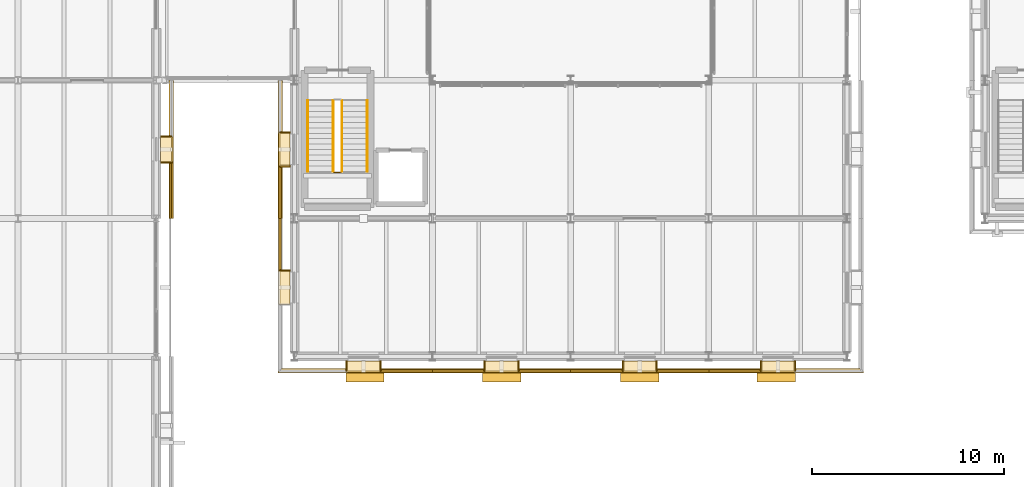
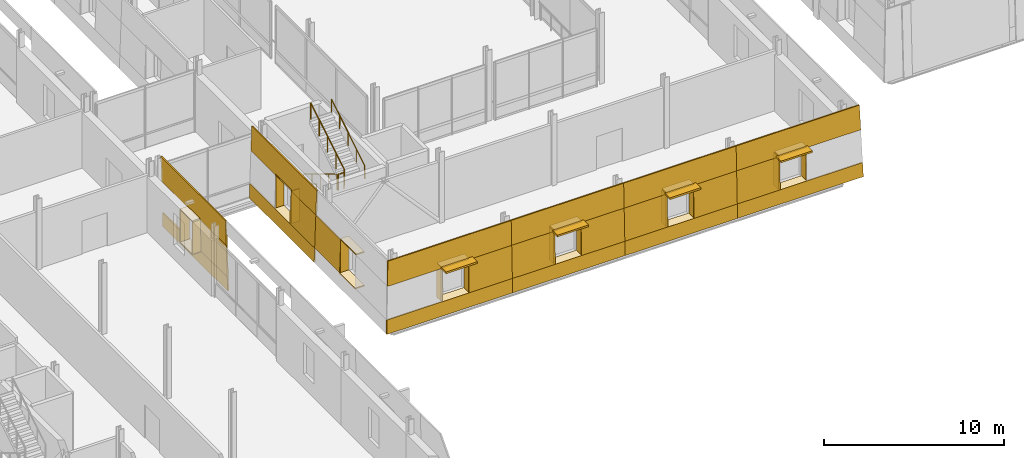
# One storey, part 103 of 121: 48 coverings, 5 railings, 4 shading devices.
"""IFC4 building model written with IfcOpenShell, lengths in metres."""

from ifc_helpers import new_model, si_unit, direction, frame, origin, origin_2d, place, context, subcontext, project, spatial, polyline, rectangle, circle, outline, extrude, material, layer, layer_set, type_object, element, save


model = new_model("IFC4")

# Units and contexts
model_context = context("Model", 3, precision=1e-05, world=origin(), true_north=direction((0.0, 1.0)))
body_context = subcontext(model_context, "Body", "Model", "MODEL_VIEW")
ifc_project = project(units=[si_unit("LENGTHUNIT", "METRE"), si_unit("AREAUNIT", "SQUARE_METRE"), si_unit("VOLUMEUNIT", "CUBIC_METRE"), si_unit("PLANEANGLEUNIT", "RADIAN"), si_unit("MASSUNIT", "GRAM", prefix="KILO")], contexts=[model_context])

# Site, building, storey
site_placement = place(None, origin())
site = spatial("IfcSite", under=ifc_project, at=site_placement, CompositionType="ELEMENT")
building_placement = place(site_placement, origin())
building = spatial("IfcBuilding", under=site, at=building_placement, Name="Narikvali Park Central Library", CompositionType="ELEMENT")
storey_placement = place(building_placement, frame((0.0, 0.0, 5.39990234375)))
storey = spatial("IfcBuildingStorey", under=building, at=storey_placement, Name="L01", CompositionType="ELEMENT", Elevation=5.39990234375)

# Coverings
ifc_material_1 = material(Name="White Honed Limestone Cladding", Category="masonry")
ifc_layer_1 = layer(ifc_material_1, 0.0849609375, Name="White Honed Limestone Cladding")
ifc_layer_set_1 = layer_set([ifc_layer_1], Name="White Honed Limestone Cladding")
covering_type_1 = type_object("IfcCoveringType", Name="Battered White Limestone Facade Cladding Panel", PredefinedType="CLADDING", material=ifc_layer_set_1)
covering_1_placement = place(storey_placement, frame((27.94189453125, 49.5419921875, 0.0), z_axis=(0.0, -0.999434023877, 0.033639737186), x_axis=(1.0, 0.0, 0.0)))
element("IfcCovering", 1, at=covering_1_placement, inside=storey, type_object=covering_type_1, Name="V4 L01 S Battered Limestone Spandrel B01", PredefinedType="CLADDING", context=body_context, shape_type="SweptSolid", body=[
    extrude(outline(polyline([(0.0, 0.0), (8.05810546875, 0.0), (8.05810546875, 0.9507334049069504), (0.031982421875, 0.9507334049069504), (0.0, 0.0)])), origin(), (0.0, 0.0, -1.0), 0.0849609375),
])
covering_2_placement = place(storey_placement, frame((28.048095703125, 49.64794921875, 3.150146484375), z_axis=(0.0, -0.999431366072, 0.033718607793), x_axis=(1.0, 0.0, 0.0)))
element("IfcCovering", 2, at=covering_2_placement, inside=storey, type_object=covering_type_1, Name="V4 L01 S Battered Limestone Lintel B01", PredefinedType="CLADDING", context=body_context, shape_type="SweptSolid", body=[
    extrude(outline(polyline([(0.0, 0.0), (7.951904296875, 0.0), (7.951904296875, 1.6508410679910248), (0.055419921875, 1.6508410679910248), (0.0, 0.0)])), origin(), (0.0, 0.0, -1.0), 0.0849609375),
])
covering_3_placement = place(storey_placement, frame((33.239990234375, 49.573974609375, 0.9501953125), z_axis=(0.0, -0.999435139525, 0.033606574995), x_axis=(1.0, 0.0, 0.0)))
element("IfcCovering", 3, at=covering_3_placement, inside=storey, type_object=covering_type_1, Name="V4 L01 S Battered Limestone Jamb Pier R B01", PredefinedType="CLADDING", context=body_context, shape_type="SweptSolid", body=[
    extrude(outline(polyline([(0.0, 0.0), (2.760009765625, 0.0), (2.760009765625, 2.201194539668489), (0.0, 2.201194539668489), (0.0, 0.0)])), origin(), (0.0, 0.0, -1.0), 0.0849609375),
])
covering_4_placement = place(storey_placement, frame((36.0, 49.5419921875, 0.0), z_axis=(0.0, -0.999434023877, 0.033639737186), x_axis=(1.0, 0.0, 0.0)))
element("IfcCovering", 4, at=covering_4_placement, inside=storey, type_object=covering_type_1, Name="V4 L01 S Battered Limestone Spandrel B02", PredefinedType="CLADDING", context=body_context, shape_type="SweptSolid", body=[
    extrude(outline(polyline([(0.0, 0.0), (7.199951171875, 0.0), (7.199951171875, 0.9507334049069504), (0.0, 0.9507334049069504), (0.0, 0.0)])), origin(), (0.0, 0.0, -1.0), 0.0849609375),
])
covering_5_placement = place(storey_placement, frame((36.0, 49.64794921875, 3.150146484375), z_axis=(0.0, -0.999431366072, 0.033718607793), x_axis=(1.0, 0.0, 0.0)))
element("IfcCovering", 5, at=covering_5_placement, inside=storey, type_object=covering_type_1, Name="V4 L01 S Battered Limestone Lintel B02", PredefinedType="CLADDING", context=body_context, shape_type="SweptSolid", body=[
    extrude(outline(polyline([(0.0, 0.0), (7.199951171875, 0.0), (7.199951171875, 1.6508410679910248), (0.0, 1.6508410679910248), (0.0, 0.0)])), origin(), (0.0, 0.0, -1.0), 0.0849609375),
])
for number, where, z_axis, x_axis, name in (
    (6, (36.0, 49.573974609375, 0.9501953125), (0.0, -0.999435139525, 0.033606574995), (1.0, 0.0, 0.0), "V4 L01 S Battered Limestone Jamb Pier L B02"),
    (7, (40.43994140625, 49.573974609375, 0.9501953125), (0.0, -0.999435139525, 0.033606574995), (1.0, 0.0, 0.0), "V4 L01 S Battered Limestone Jamb Pier R B02"),
):
    element("IfcCovering", number, at=place(storey_placement, frame(where, z_axis=z_axis, x_axis=x_axis)), inside=storey, type_object=covering_type_1, Name=name, PredefinedType="CLADDING", context=body_context, shape_type="SweptSolid", body=[
        extrude(outline(polyline([(0.0, 0.0), (2.760009765625, 0.0), (2.760009765625, 2.201194539668489), (0.0, 2.201194539668489), (0.0, 0.0)])), origin(), (0.0, 0.0, -1.0), 0.0849609375),
    ])
covering_6_placement = place(storey_placement, frame((43.199951171875, 49.5419921875, 0.0), z_axis=(0.0, -0.999434023877, 0.033639737186), x_axis=(1.0, 0.0, 0.0)))
element("IfcCovering", 8, at=covering_6_placement, inside=storey, type_object=covering_type_1, Name="V4 L01 S Battered Limestone Spandrel B03", PredefinedType="CLADDING", context=body_context, shape_type="SweptSolid", body=[
    extrude(outline(polyline([(0.0, 0.0), (7.199951171875, 0.0), (7.199951171875, 0.9507334049069504), (0.0, 0.9507334049069504), (0.0, 0.0)])), origin(), (0.0, 0.0, -1.0), 0.0849609375),
])
covering_7_placement = place(storey_placement, frame((43.199951171875, 49.64794921875, 3.150146484375), z_axis=(0.0, -0.999431366072, 0.033718607793), x_axis=(1.0, 0.0, 0.0)))
element("IfcCovering", 9, at=covering_7_placement, inside=storey, type_object=covering_type_1, Name="V4 L01 S Battered Limestone Lintel B03", PredefinedType="CLADDING", context=body_context, shape_type="SweptSolid", body=[
    extrude(outline(polyline([(0.0, 0.0), (7.199951171875, 0.0), (7.199951171875, 1.6508410679910248), (0.0, 1.6508410679910248), (0.0, 0.0)])), origin(), (0.0, 0.0, -1.0), 0.0849609375),
])
for number, where, z_axis, x_axis, name in (
    (10, (43.199951171875, 49.573974609375, 0.9501953125), (0.0, -0.999435139525, 0.033606574995), (1.0, 0.0, 0.0), "V4 L01 S Battered Limestone Jamb Pier L B03"),
    (11, (47.639892578125, 49.573974609375, 0.9501953125), (0.0, -0.999435139525, 0.033606574995), (1.0, 0.0, 0.0), "V4 L01 S Battered Limestone Jamb Pier R B03"),
):
    element("IfcCovering", number, at=place(storey_placement, frame(where, z_axis=z_axis, x_axis=x_axis)), inside=storey, type_object=covering_type_1, Name=name, PredefinedType="CLADDING", context=body_context, shape_type="SweptSolid", body=[
        extrude(outline(polyline([(0.0, 0.0), (2.760009765625, 0.0), (2.760009765625, 2.201194539668489), (0.0, 2.201194539668489), (0.0, 0.0)])), origin(), (0.0, 0.0, -1.0), 0.0849609375),
    ])
covering_8_placement = place(storey_placement, frame((50.39990234375, 49.5419921875, 0.0), z_axis=(0.0, -0.999434023877, 0.033639737186), x_axis=(1.0, 0.0, 0.0)))
element("IfcCovering", 12, at=covering_8_placement, inside=storey, type_object=covering_type_1, Name="V4 L01 S Battered Limestone Spandrel B04", PredefinedType="CLADDING", context=body_context, shape_type="SweptSolid", body=[
    extrude(outline(polyline([(0.0, 0.0), (8.05810546875, 0.0), (8.026123046875, 0.9507334049069504), (0.0, 0.9507334049069504), (0.0, 0.0)])), origin(), (0.0, 0.0, -1.0), 0.0849609375),
])
covering_9_placement = place(storey_placement, frame((50.39990234375, 49.64794921875, 3.150146484375), z_axis=(0.0, -0.999431366072, 0.033718607793), x_axis=(1.0, 0.0, 0.0)))
element("IfcCovering", 13, at=covering_9_placement, inside=storey, type_object=covering_type_1, Name="V4 L01 S Battered Limestone Lintel B04", PredefinedType="CLADDING", context=body_context, shape_type="SweptSolid", body=[
    extrude(outline(polyline([(0.0, 0.0), (7.9521484375, 0.0), (7.896484375, 1.6508410679910246), (0.0, 1.6508410679910246), (0.0, 0.0)])), origin(), (0.0, 0.0, -1.0), 0.0849609375),
])
covering_10_placement = place(storey_placement, frame((50.39990234375, 49.573974609375, 0.9501953125), z_axis=(0.0, -0.999435139525, 0.033606574995), x_axis=(1.0, 0.0, 0.0)))
element("IfcCovering", 14, at=covering_10_placement, inside=storey, type_object=covering_type_1, Name="V4 L01 S Battered Limestone Jamb Pier L B04", PredefinedType="CLADDING", context=body_context, shape_type="SweptSolid", body=[
    extrude(outline(polyline([(0.0, 0.0), (2.760009765625, 0.0), (2.760009765625, 2.201194539668489), (0.0, 2.201194539668489), (0.0, 0.0)])), origin(), (0.0, 0.0, -1.0), 0.0849609375),
])
covering_11_placement = place(storey_placement, frame((27.94189453125, 64.800048828125, 0.0), z_axis=(-0.999434023877, 0.0, 0.033639737186), x_axis=(0.0, -1.0, 0.0)))
element("IfcCovering", 15, at=covering_11_placement, inside=storey, type_object=covering_type_1, Name="V4 L01 W Battered Limestone Spandrel B08", PredefinedType="CLADDING", context=body_context, shape_type="SweptSolid", body=[
    extrude(outline(polyline([(0.0, 0.0), (7.199951171875, 0.0), (7.199951171875, 0.9507334049069504), (0.0, 0.9507334049069504), (0.0, 0.0)])), origin(), (0.0, 0.0, -1.0), 0.0849609375),
])
covering_12_placement = place(storey_placement, frame((28.048095703125, 64.800048828125, 3.150146484375), z_axis=(-0.999436338943, 0.0, 0.0335708862), x_axis=(0.0, -1.0, 0.0)))
element("IfcCovering", 16, at=covering_12_placement, inside=storey, type_object=covering_type_1, Name="V4 L01 W Battered Limestone Lintel B08", PredefinedType="CLADDING", context=body_context, shape_type="SweptSolid", body=[
    extrude(outline(polyline([(0.0, 0.0), (7.199951171875, 0.0), (7.199951171875, 1.6508328539414203), (0.0, 1.6508328539414203), (0.0, 0.0)])), origin(), (0.0, 0.0, -1.0), 0.0849609375),
])
for number, where, z_axis, x_axis, name in (
    (17, (27.973876953125, 60.360107421875, 0.9501953125), (-0.999431408105, 0.0, 0.033717361898), (0.0, -1.0, 0.0), "V4 L01 W Battered Limestone Jamb Pier R B08"),
    (18, (27.973876953125, 57.60009765625, 0.9501953125), (-0.999431408105, 0.0, 0.033717361898), (0.0, -1.0, 0.0), "V4 L01 W Battered Limestone Jamb Pier L B09"),
):
    element("IfcCovering", number, at=place(storey_placement, frame(where, z_axis=z_axis, x_axis=x_axis)), inside=storey, type_object=covering_type_1, Name=name, PredefinedType="CLADDING", context=body_context, shape_type="SweptSolid", body=[
        extrude(outline(polyline([(0.0, 0.0), (2.760009765625, 0.0), (2.760009765625, 2.2012027579225295), (0.0, 2.2012027579225295), (0.0, 0.0)])), origin(), (0.0, 0.0, -1.0), 0.0849609375),
    ])
covering_13_placement = place(storey_placement, frame((22.48681640625, 57.60009765625, 0.0), z_axis=(0.999600837605, 0.0, 0.028251822234), x_axis=(0.0, 1.0, 0.0)))
element("IfcCovering", 19, at=covering_13_placement, inside=storey, type_object=covering_type_1, Name="V5 L01 E Battered Limestone Spandrel B05", PredefinedType="CLADDING", context=body_context, shape_type="SweptSolid", body=[
    extrude(outline(polyline([(0.0, 0.0), (7.199951171875, 0.0), (7.199951171875, 0.9505747461924048), (0.0, 0.9505747461924048), (0.0, 0.0)])), origin(), (0.0, 0.0, -1.0), 0.0849609375),
])
covering_14_placement = place(storey_placement, frame((22.39892578125, 57.60009765625, 3.10009765625), z_axis=(0.99959594144, 0.0, 0.02842452914), x_axis=(0.0, 1.0, 0.0)))
element("IfcCovering", 20, at=covering_14_placement, inside=storey, type_object=covering_type_1, Name="V5 L01 E Battered Limestone Lintel B05", PredefinedType="CLADDING", context=body_context, shape_type="SweptSolid", body=[
    extrude(outline(polyline([(0.0, 0.0), (7.199951171875, 0.0), (7.199951171875, 1.7006383293495888), (0.0, 1.7006383293495888), (0.0, 0.0)])), origin(), (0.0, 0.0, -1.0), 0.0849609375),
])
covering_15_placement = place(storey_placement, frame((22.4599609375, 57.60009765625, 0.9501953125), z_axis=(0.99959725493, 0.0, 0.028378300447), x_axis=(0.0, 1.0, 0.0)))
element("IfcCovering", 21, at=covering_15_placement, inside=storey, type_object=covering_type_1, Name="V5 L01 E Battered Limestone Jamb Pier L B05", PredefinedType="CLADDING", context=body_context, shape_type="SweptSolid", body=[
    extrude(outline(polyline([(0.0, 0.0), (2.9599609375, 0.0), (2.9599609375, 2.150768555182125), (0.0, 2.150768555182125), (0.0, 0.0)])), origin(), (0.0, 0.0, -1.0), 0.0849609375),
])

# Shading devices
ifc_material_2 = material(Name="Anodised Bronze Aluminium", Category="aluminium")
ifc_layer_2 = layer(ifc_material_2, 0.1201171875, Name="Anodised Bronze Aluminium")
ifc_layer_set_2 = layer_set([ifc_layer_2], Name="Anodised Bronze Aluminium")
shading_device_type = type_object("IfcShadingDeviceType", Name="Bronze Classical Cornice Sun Brise-Soleil 650", PredefinedType="SHUTTER", material=ifc_layer_set_2)
for number, where, z_axis, x_axis, name in (
    (22, (32.47705078125, 49.407958984375, 3.150146484375), (0.0, 0.0, 1.0), (1.0, 0.0, 0.0), "V4 L01 Classical Bronze Brise-Soleil 01"),
    (23, (39.60009765625, 49.407958984375, 3.150146484375), (0.0, 0.0, 1.0), (1.0, 0.0, 0.0), "V4 L01 Classical Bronze Brise-Soleil 02"),
    (24, (46.800048828125, 49.407958984375, 3.150146484375), (0.0, 0.0, 1.0), (1.0, 0.0, 0.0), "V4 L01 Classical Bronze Brise-Soleil 03"),
    (25, (53.923095703125, 49.407958984375, 3.150146484375), (0.0, 0.0, 1.0), (1.0, 0.0, 0.0), "V4 L01 Classical Bronze Brise-Soleil 04"),
):
    element("IfcShadingDevice", number, at=place(storey_placement, frame(where, z_axis=z_axis, x_axis=x_axis)), inside=storey, type_object=shading_device_type, Name=name, PredefinedType="SHUTTER", context=body_context, shape_type="SweptSolid", body=[
        extrude(rectangle(XDim=2.0, YDim=0.64990234375, at=origin_2d()), origin(), (0.0, 0.0, 1.0), 0.1201171875),
    ])

# Coverings
ifc_layer_3 = layer(ifc_material_1, 0.080078125, Name="White Honed Limestone Cladding")
ifc_layer_set_3 = layer_set([ifc_layer_3], Name="White Honed Limestone Cladding")
covering_type_2 = type_object("IfcCoveringType", Name="Deep Carved White Limestone Window Reveal", PredefinedType="CLADDING", material=ifc_layer_set_3)
covering_16_placement = place(storey_placement, frame((0.0, 0.0, 3.150146484375)))
element("IfcCovering", 26, at=covering_16_placement, inside=storey, type_object=covering_type_2, Name="Deep Stone Reveal Head V4-RVL-L01-S-B01", PredefinedType="CLADDING", context=body_context, shape_type="SweptSolid", body=[
    extrude(outline(polyline([(31.52001953125, 50.175048828125), (33.280029296875, 50.175048828125), (33.280029296875, 49.64794921875), (31.52001953125, 49.64794921875), (31.52001953125, 50.175048828125)])), origin(), (0.0, 0.0, 1.0), 0.079833984375),
])
covering_17_placement = place(storey_placement, frame((0.0, 0.0, 0.8701171875)))
element("IfcCovering", 27, at=covering_17_placement, inside=storey, type_object=covering_type_2, Name="Deep Stone Reveal Sill V4-RVL-L01-S-B01", PredefinedType="CLADDING", context=body_context, shape_type="SweptSolid", body=[
    extrude(outline(polyline([(31.52001953125, 50.175048828125), (33.280029296875, 50.175048828125), (33.280029296875, 49.573974609375), (31.52001953125, 49.573974609375), (31.52001953125, 50.175048828125)])), origin(), (0.0, 0.0, 1.0), 0.080078125),
])
covering_18_placement = place(storey_placement, frame((0.0, 0.0, 0.9501953125)))
element("IfcCovering", 28, at=covering_18_placement, inside=storey, type_object=covering_type_2, Name="Deep Stone Reveal Jamb L V4-RVL-L01-S-B01", PredefinedType="CLADDING", context=body_context, shape_type="SweptSolid", body=[
    extrude(outline(polyline([(31.47998046875, 50.175048828125), (31.56005859375, 50.175048828125), (31.56005859375, 49.64794921875), (31.47998046875, 49.64794921875), (31.47998046875, 50.175048828125)])), origin(), (0.0, 0.0, 1.0), 2.199951171875),
])
covering_19_placement = place(storey_placement, frame((0.0, 0.0, 0.9501953125)))
element("IfcCovering", 29, at=covering_19_placement, inside=storey, type_object=covering_type_2, Name="Deep Stone Reveal Jamb R V4-RVL-L01-S-B01", PredefinedType="CLADDING", context=body_context, shape_type="SweptSolid", body=[
    extrude(outline(polyline([(33.239990234375, 50.175048828125), (33.320068359375, 50.175048828125), (33.320068359375, 49.64794921875), (33.239990234375, 49.64794921875), (33.239990234375, 50.175048828125)])), origin(), (0.0, 0.0, 1.0), 2.199951171875),
])
covering_20_placement = place(storey_placement, frame((0.0, 0.0, 3.150146484375)))
element("IfcCovering", 30, at=covering_20_placement, inside=storey, type_object=covering_type_2, Name="Deep Stone Reveal Head V4-RVL-L01-S-B02", PredefinedType="CLADDING", context=body_context, shape_type="SweptSolid", body=[
    extrude(outline(polyline([(38.719970703125, 50.175048828125), (40.47998046875, 50.175048828125), (40.47998046875, 49.64794921875), (38.719970703125, 49.64794921875), (38.719970703125, 50.175048828125)])), origin(), (0.0, 0.0, 1.0), 0.079833984375),
])
covering_21_placement = place(storey_placement, frame((0.0, 0.0, 0.8701171875)))
element("IfcCovering", 31, at=covering_21_placement, inside=storey, type_object=covering_type_2, Name="Deep Stone Reveal Sill V4-RVL-L01-S-B02", PredefinedType="CLADDING", context=body_context, shape_type="SweptSolid", body=[
    extrude(outline(polyline([(38.719970703125, 50.175048828125), (40.47998046875, 50.175048828125), (40.47998046875, 49.573974609375), (38.719970703125, 49.573974609375), (38.719970703125, 50.175048828125)])), origin(), (0.0, 0.0, 1.0), 0.080078125),
])
covering_22_placement = place(storey_placement, frame((0.0, 0.0, 0.9501953125)))
element("IfcCovering", 32, at=covering_22_placement, inside=storey, type_object=covering_type_2, Name="Deep Stone Reveal Jamb L V4-RVL-L01-S-B02", PredefinedType="CLADDING", context=body_context, shape_type="SweptSolid", body=[
    extrude(outline(polyline([(38.679931640625, 50.175048828125), (38.760009765625, 50.175048828125), (38.760009765625, 49.64794921875), (38.679931640625, 49.64794921875), (38.679931640625, 50.175048828125)])), origin(), (0.0, 0.0, 1.0), 2.199951171875),
])
covering_23_placement = place(storey_placement, frame((0.0, 0.0, 0.9501953125)))
element("IfcCovering", 33, at=covering_23_placement, inside=storey, type_object=covering_type_2, Name="Deep Stone Reveal Jamb R V4-RVL-L01-S-B02", PredefinedType="CLADDING", context=body_context, shape_type="SweptSolid", body=[
    extrude(outline(polyline([(40.43994140625, 50.175048828125), (40.52001953125, 50.175048828125), (40.52001953125, 49.64794921875), (40.43994140625, 49.64794921875), (40.43994140625, 50.175048828125)])), origin(), (0.0, 0.0, 1.0), 2.199951171875),
])
covering_24_placement = place(storey_placement, frame((0.0, 0.0, 3.150146484375)))
element("IfcCovering", 34, at=covering_24_placement, inside=storey, type_object=covering_type_2, Name="Deep Stone Reveal Head V4-RVL-L01-S-B03", PredefinedType="CLADDING", context=body_context, shape_type="SweptSolid", body=[
    extrude(outline(polyline([(45.919921875, 50.175048828125), (47.679931640625, 50.175048828125), (47.679931640625, 49.64794921875), (45.919921875, 49.64794921875), (45.919921875, 50.175048828125)])), origin(), (0.0, 0.0, 1.0), 0.079833984375),
])
covering_25_placement = place(storey_placement, frame((0.0, 0.0, 0.8701171875)))
element("IfcCovering", 35, at=covering_25_placement, inside=storey, type_object=covering_type_2, Name="Deep Stone Reveal Sill V4-RVL-L01-S-B03", PredefinedType="CLADDING", context=body_context, shape_type="SweptSolid", body=[
    extrude(outline(polyline([(45.919921875, 50.175048828125), (47.679931640625, 50.175048828125), (47.679931640625, 49.573974609375), (45.919921875, 49.573974609375), (45.919921875, 50.175048828125)])), origin(), (0.0, 0.0, 1.0), 0.080078125),
])
covering_26_placement = place(storey_placement, frame((0.0, 0.0, 0.9501953125)))
element("IfcCovering", 36, at=covering_26_placement, inside=storey, type_object=covering_type_2, Name="Deep Stone Reveal Jamb L V4-RVL-L01-S-B03", PredefinedType="CLADDING", context=body_context, shape_type="SweptSolid", body=[
    extrude(outline(polyline([(45.8798828125, 50.175048828125), (45.9599609375, 50.175048828125), (45.9599609375, 49.64794921875), (45.8798828125, 49.64794921875), (45.8798828125, 50.175048828125)])), origin(), (0.0, 0.0, 1.0), 2.199951171875),
])
covering_27_placement = place(storey_placement, frame((0.0, 0.0, 0.9501953125)))
element("IfcCovering", 37, at=covering_27_placement, inside=storey, type_object=covering_type_2, Name="Deep Stone Reveal Jamb R V4-RVL-L01-S-B03", PredefinedType="CLADDING", context=body_context, shape_type="SweptSolid", body=[
    extrude(outline(polyline([(47.639892578125, 50.175048828125), (47.719970703125, 50.175048828125), (47.719970703125, 49.64794921875), (47.639892578125, 49.64794921875), (47.639892578125, 50.175048828125)])), origin(), (0.0, 0.0, 1.0), 2.199951171875),
])
covering_28_placement = place(storey_placement, frame((0.0, 0.0, 3.150146484375)))
element("IfcCovering", 38, at=covering_28_placement, inside=storey, type_object=covering_type_2, Name="Deep Stone Reveal Head V4-RVL-L01-S-B04", PredefinedType="CLADDING", context=body_context, shape_type="SweptSolid", body=[
    extrude(outline(polyline([(53.1201171875, 50.175048828125), (54.8798828125, 50.175048828125), (54.8798828125, 49.64794921875), (53.1201171875, 49.64794921875), (53.1201171875, 50.175048828125)])), origin(), (0.0, 0.0, 1.0), 0.079833984375),
])
covering_29_placement = place(storey_placement, frame((0.0, 0.0, 0.8701171875)))
element("IfcCovering", 39, at=covering_29_placement, inside=storey, type_object=covering_type_2, Name="Deep Stone Reveal Sill V4-RVL-L01-S-B04", PredefinedType="CLADDING", context=body_context, shape_type="SweptSolid", body=[
    extrude(outline(polyline([(53.1201171875, 50.175048828125), (54.8798828125, 50.175048828125), (54.8798828125, 49.573974609375), (53.1201171875, 49.573974609375), (53.1201171875, 50.175048828125)])), origin(), (0.0, 0.0, 1.0), 0.080078125),
])
covering_30_placement = place(storey_placement, frame((0.0, 0.0, 0.9501953125)))
element("IfcCovering", 40, at=covering_30_placement, inside=storey, type_object=covering_type_2, Name="Deep Stone Reveal Jamb L V4-RVL-L01-S-B04", PredefinedType="CLADDING", context=body_context, shape_type="SweptSolid", body=[
    extrude(outline(polyline([(53.080078125, 50.175048828125), (53.159912109375, 50.175048828125), (53.159912109375, 49.64794921875), (53.080078125, 49.64794921875), (53.080078125, 50.175048828125)])), origin(), (0.0, 0.0, 1.0), 2.199951171875),
])
covering_31_placement = place(storey_placement, frame((0.0, 0.0, 0.9501953125)))
element("IfcCovering", 41, at=covering_31_placement, inside=storey, type_object=covering_type_2, Name="Deep Stone Reveal Jamb R V4-RVL-L01-S-B04", PredefinedType="CLADDING", context=body_context, shape_type="SweptSolid", body=[
    extrude(outline(polyline([(54.840087890625, 50.175048828125), (54.919921875, 50.175048828125), (54.919921875, 49.64794921875), (54.840087890625, 49.64794921875), (54.840087890625, 50.175048828125)])), origin(), (0.0, 0.0, 1.0), 2.199951171875),
])
covering_32_placement = place(storey_placement, frame((0.0, 0.0, 3.150146484375)))
element("IfcCovering", 42, at=covering_32_placement, inside=storey, type_object=covering_type_2, Name="Deep Stone Reveal Head V4-RVL-L01-W-B08", PredefinedType="CLADDING", context=body_context, shape_type="SweptSolid", body=[
    extrude(outline(polyline([(28.574951171875, 62.080078125), (28.574951171875, 60.320068359375), (28.048095703125, 60.320068359375), (28.048095703125, 62.080078125), (28.574951171875, 62.080078125)])), origin(), (0.0, 0.0, 1.0), 0.079833984375),
])
covering_33_placement = place(storey_placement, frame((0.0, 0.0, 0.8701171875)))
element("IfcCovering", 43, at=covering_33_placement, inside=storey, type_object=covering_type_2, Name="Deep Stone Reveal Sill V4-RVL-L01-W-B08", PredefinedType="CLADDING", context=body_context, shape_type="SweptSolid", body=[
    extrude(outline(polyline([(28.574951171875, 62.080078125), (28.574951171875, 60.320068359375), (27.973876953125, 60.320068359375), (27.973876953125, 62.080078125), (28.574951171875, 62.080078125)])), origin(), (0.0, 0.0, 1.0), 0.080078125),
])
covering_34_placement = place(storey_placement, frame((0.0, 0.0, 0.9501953125)))
element("IfcCovering", 44, at=covering_34_placement, inside=storey, type_object=covering_type_2, Name="Deep Stone Reveal Jamb L V4-RVL-L01-W-B08", PredefinedType="CLADDING", context=body_context, shape_type="SweptSolid", body=[
    extrude(outline(polyline([(28.574951171875, 62.1201171875), (28.574951171875, 62.0400390625), (28.048095703125, 62.0400390625), (28.048095703125, 62.1201171875), (28.574951171875, 62.1201171875)])), origin(), (0.0, 0.0, 1.0), 2.199951171875),
])
covering_35_placement = place(storey_placement, frame((0.0, 0.0, 0.9501953125)))
element("IfcCovering", 45, at=covering_35_placement, inside=storey, type_object=covering_type_2, Name="Deep Stone Reveal Jamb R V4-RVL-L01-W-B08", PredefinedType="CLADDING", context=body_context, shape_type="SweptSolid", body=[
    extrude(outline(polyline([(28.574951171875, 60.360107421875), (28.574951171875, 60.280029296875), (28.048095703125, 60.280029296875), (28.048095703125, 60.360107421875), (28.574951171875, 60.360107421875)])), origin(), (0.0, 0.0, 1.0), 2.199951171875),
])
covering_36_placement = place(storey_placement, frame((0.0, 0.0, 3.150146484375)))
element("IfcCovering", 46, at=covering_36_placement, inside=storey, type_object=covering_type_2, Name="Deep Stone Reveal Head V4-RVL-L01-W-B09", PredefinedType="CLADDING", context=body_context, shape_type="SweptSolid", body=[
    extrude(outline(polyline([(28.574951171875, 54.8798828125), (28.574951171875, 53.1201171875), (28.048095703125, 53.1201171875), (28.048095703125, 54.8798828125), (28.574951171875, 54.8798828125)])), origin(), (0.0, 0.0, 1.0), 0.079833984375),
])
covering_37_placement = place(storey_placement, frame((0.0, 0.0, 0.8701171875)))
element("IfcCovering", 47, at=covering_37_placement, inside=storey, type_object=covering_type_2, Name="Deep Stone Reveal Sill V4-RVL-L01-W-B09", PredefinedType="CLADDING", context=body_context, shape_type="SweptSolid", body=[
    extrude(outline(polyline([(28.574951171875, 54.8798828125), (28.574951171875, 53.1201171875), (27.973876953125, 53.1201171875), (27.973876953125, 54.8798828125), (28.574951171875, 54.8798828125)])), origin(), (0.0, 0.0, 1.0), 0.080078125),
])
covering_38_placement = place(storey_placement, frame((0.0, 0.0, 0.9501953125)))
element("IfcCovering", 48, at=covering_38_placement, inside=storey, type_object=covering_type_2, Name="Deep Stone Reveal Jamb L V4-RVL-L01-W-B09", PredefinedType="CLADDING", context=body_context, shape_type="SweptSolid", body=[
    extrude(outline(polyline([(28.574951171875, 54.919921875), (28.574951171875, 54.840087890625), (28.048095703125, 54.840087890625), (28.048095703125, 54.919921875), (28.574951171875, 54.919921875)])), origin(), (0.0, 0.0, 1.0), 2.199951171875),
])
covering_39_placement = place(storey_placement, frame((0.0, 0.0, 3.10009765625)))
element("IfcCovering", 49, at=covering_39_placement, inside=storey, type_object=covering_type_2, Name="Deep Stone Reveal Head V5-RVL-L01-E-B05", PredefinedType="CLADDING", context=body_context, shape_type="SweptSolid", body=[
    extrude(outline(polyline([(21.824951171875, 60.52001953125), (21.824951171875, 61.8798828125), (22.39892578125, 61.8798828125), (22.39892578125, 60.52001953125), (21.824951171875, 60.52001953125)])), origin(), (0.0, 0.0, 1.0), 0.080078125),
])
covering_40_placement = place(storey_placement, frame((0.0, 0.0, 0.8701171875)))
element("IfcCovering", 50, at=covering_40_placement, inside=storey, type_object=covering_type_2, Name="Deep Stone Reveal Sill V5-RVL-L01-E-B05", PredefinedType="CLADDING", context=body_context, shape_type="SweptSolid", body=[
    extrude(outline(polyline([(21.824951171875, 60.52001953125), (21.824951171875, 61.8798828125), (22.4599609375, 61.8798828125), (22.4599609375, 60.52001953125), (21.824951171875, 60.52001953125)])), origin(), (0.0, 0.0, 1.0), 0.080078125),
])
covering_41_placement = place(storey_placement, frame((0.0, 0.0, 0.9501953125)))
element("IfcCovering", 51, at=covering_41_placement, inside=storey, type_object=covering_type_2, Name="Deep Stone Reveal Jamb L V5-RVL-L01-E-B05", PredefinedType="CLADDING", context=body_context, shape_type="SweptSolid", body=[
    extrude(outline(polyline([(21.824951171875, 60.47998046875), (21.824951171875, 60.56005859375), (22.39892578125, 60.56005859375), (22.39892578125, 60.47998046875), (21.824951171875, 60.47998046875)])), origin(), (0.0, 0.0, 1.0), 2.14990234375),
])
covering_42_placement = place(storey_placement, frame((0.0, 0.0, 0.9501953125)))
element("IfcCovering", 52, at=covering_42_placement, inside=storey, type_object=covering_type_2, Name="Deep Stone Reveal Jamb R V5-RVL-L01-E-B05", PredefinedType="CLADDING", context=body_context, shape_type="SweptSolid", body=[
    extrude(outline(polyline([(21.824951171875, 61.840087890625), (21.824951171875, 61.919921875), (22.39892578125, 61.919921875), (22.39892578125, 61.840087890625), (21.824951171875, 61.840087890625)])), origin(), (0.0, 0.0, 1.0), 2.14990234375),
])

# Railings
ifc_material_3 = material(Name="Brushed Stainless Steel S355", Category="steel")
ifc_layer_4 = layer(ifc_material_3, 0.044921875, Name="Brushed Stainless Steel S355")
ifc_layer_set_4 = layer_set([ifc_layer_4], Name="Brushed Stainless Steel S355")
railing_type_1 = type_object("IfcRailingType", Name="Stair Tubular Steel Handrail 900", PredefinedType="HANDRAIL", material=ifc_layer_set_4)
railing_1_placement = place(storey_placement, frame((29.5, 63.75, 0.171630859375)))
element("IfcRailing", 53, at=railing_1_placement, inside=storey, type_object=railing_type_1, Name="L01 ST-07 stair handrail 1", PredefinedType="HANDRAIL", context=body_context, shape_type="SweptSolid", body=[
    extrude(circle(Radius=0.02392578125, at=origin_2d()), frame((0.0, 0.0, 0.8759765625), z_axis=(0.0, -0.856934400257, 0.515425487977), x_axis=(1.0, 0.0, 0.0)), (0.0, 0.0, 1.0), 4.32373046875),
    extrude(circle(Radius=0.02099609375, at=origin_2d()), origin(), (0.0, 0.0, 1.0), 0.851806640625),
    extrude(circle(Radius=0.02099609375, at=origin_2d()), frame((0.0, -0.92626953125, 0.55712890625)), (0.0, 0.0, 1.0), 0.851806640625),
    extrude(circle(Radius=0.02099609375, at=origin_2d()), frame((0.0, -1.8525390625, 1.1142578125)), (0.0, 0.0, 1.0), 0.851806640625),
    extrude(circle(Radius=0.02099609375, at=origin_2d()), frame((0.0, -2.77880859375, 1.67138671875)), (0.0, 0.0, 1.0), 0.851806640625),
    extrude(circle(Radius=0.02099609375, at=origin_2d()), frame((0.0, -3.705078125, 2.228515625)), (0.0, 0.0, 1.0), 0.851806640625),
])
railing_2_placement = place(storey_placement, frame((32.60009765625, 60.044921875, 2.571533203125)))
element("IfcRailing", 54, at=railing_2_placement, inside=storey, type_object=railing_type_1, Name="L01 ST-07 stair handrail 2", PredefinedType="HANDRAIL", context=body_context, shape_type="SweptSolid", body=[
    extrude(circle(Radius=0.02392578125, at=origin_2d()), frame((0.0, 0.0, 0.8759765625), z_axis=(0.0, 0.856934400257, 0.515425487977), x_axis=(-1.0, 0.0, 0.0)), (0.0, 0.0, 1.0), 4.32373046875),
    extrude(circle(Radius=0.02099609375, at=origin_2d()), origin(), (0.0, 0.0, 1.0), 0.851806640625),
    extrude(circle(Radius=0.02099609375, at=origin_2d()), frame((0.0, 0.92626953125, 0.55712890625)), (0.0, 0.0, 1.0), 0.851806640625),
    extrude(circle(Radius=0.02099609375, at=origin_2d()), frame((0.0, 1.8525390625, 1.1142578125)), (0.0, 0.0, 1.0), 0.851806640625),
    extrude(circle(Radius=0.02099609375, at=origin_2d()), frame((0.0, 2.77880859375, 1.67138671875)), (0.0, 0.0, 1.0), 0.851806640625),
    extrude(circle(Radius=0.02099609375, at=origin_2d()), frame((0.0, 3.705078125, 2.228515625)), (0.0, 0.0, 1.0), 0.851806640625),
])
ifc_material_4 = material(Name="Powder-Coated Steel S275", Category="steel")
ifc_layer_5 = layer(ifc_material_4, 0.050048828125, Name="Powder-Coated Steel S275")
ifc_layer_set_5 = layer_set([ifc_layer_5], Name="Powder-Coated Steel S275")
railing_type_2 = type_object("IfcRailingType", Name="Stair Well Steel Guardrail 1100", PredefinedType="GUARDRAIL", material=ifc_layer_set_5)
railing_3_placement = place(storey_placement, frame((30.820068359375, 63.75, 0.171630859375)))
element("IfcRailing", 55, at=railing_3_placement, inside=storey, type_object=railing_type_2, Name="L01 ST-07 stair guard 1", PredefinedType="GUARDRAIL", context=body_context, shape_type="SweptSolid", body=[
    extrude(circle(Radius=0.02392578125, at=origin_2d()), frame((0.0, 0.0, 1.076171875), z_axis=(0.0, -0.856934400257, 0.515425487977), x_axis=(1.0, 0.0, 0.0)), (0.0, 0.0, 1.0), 4.32373046875),
    extrude(circle(Radius=0.02099609375, at=origin_2d()), origin(), (0.0, 0.0, 1.0), 1.052001953125),
    extrude(circle(Radius=0.02099609375, at=origin_2d()), frame((0.0, -0.92626953125, 0.55712890625)), (0.0, 0.0, 1.0), 1.052001953125),
    extrude(circle(Radius=0.02099609375, at=origin_2d()), frame((0.0, -1.8525390625, 1.1142578125)), (0.0, 0.0, 1.0), 1.052001953125),
    extrude(circle(Radius=0.02099609375, at=origin_2d()), frame((0.0, -2.77880859375, 1.67138671875)), (0.0, 0.0, 1.0), 1.052001953125),
    extrude(circle(Radius=0.02099609375, at=origin_2d()), frame((0.0, -3.705078125, 2.228515625)), (0.0, 0.0, 1.0), 1.052001953125),
])
railing_4_placement = place(storey_placement, frame((30.8701171875, 59.9951171875, 2.400146484375)))
element("IfcRailing", 56, at=railing_4_placement, inside=storey, type_object=railing_type_2, Name="L01 ST-07 stair guard 2", PredefinedType="GUARDRAIL", context=body_context, shape_type="SweptSolid", body=[
    extrude(circle(Radius=0.02392578125, at=origin_2d()), frame((0.0, 0.0, 1.076171875), z_axis=(1.0, 0.0, 0.0), x_axis=(0.0, 1.0, 0.0)), (0.0, 0.0, 1.0), 0.35986328125),
    extrude(circle(Radius=0.02099609375, at=origin_2d()), origin(), (0.0, 0.0, 1.0), 1.052001953125),
    extrude(circle(Radius=0.02099609375, at=origin_2d()), frame((0.35986328125, 0.0, 0.0)), (0.0, 0.0, 1.0), 1.052001953125),
])
railing_5_placement = place(storey_placement, frame((31.280029296875, 60.044921875, 2.571533203125)))
element("IfcRailing", 57, at=railing_5_placement, inside=storey, type_object=railing_type_2, Name="L01 ST-07 stair guard 3", PredefinedType="GUARDRAIL", context=body_context, shape_type="SweptSolid", body=[
    extrude(circle(Radius=0.02392578125, at=origin_2d()), frame((0.0, 0.0, 1.076171875), z_axis=(0.0, 0.856934400257, 0.515425487977), x_axis=(-1.0, 0.0, 0.0)), (0.0, 0.0, 1.0), 4.32373046875),
    extrude(circle(Radius=0.02099609375, at=origin_2d()), origin(), (0.0, 0.0, 1.0), 1.052001953125),
    extrude(circle(Radius=0.02099609375, at=origin_2d()), frame((0.0, 0.92626953125, 0.55712890625)), (0.0, 0.0, 1.0), 1.052001953125),
    extrude(circle(Radius=0.02099609375, at=origin_2d()), frame((0.0, 1.8525390625, 1.1142578125)), (0.0, 0.0, 1.0), 1.052001953125),
    extrude(circle(Radius=0.02099609375, at=origin_2d()), frame((0.0, 2.77880859375, 1.67138671875)), (0.0, 0.0, 1.0), 1.052001953125),
    extrude(circle(Radius=0.02099609375, at=origin_2d()), frame((0.0, 3.705078125, 2.228515625)), (0.0, 0.0, 1.0), 1.052001953125),
])

save(model, "model.ifc")
